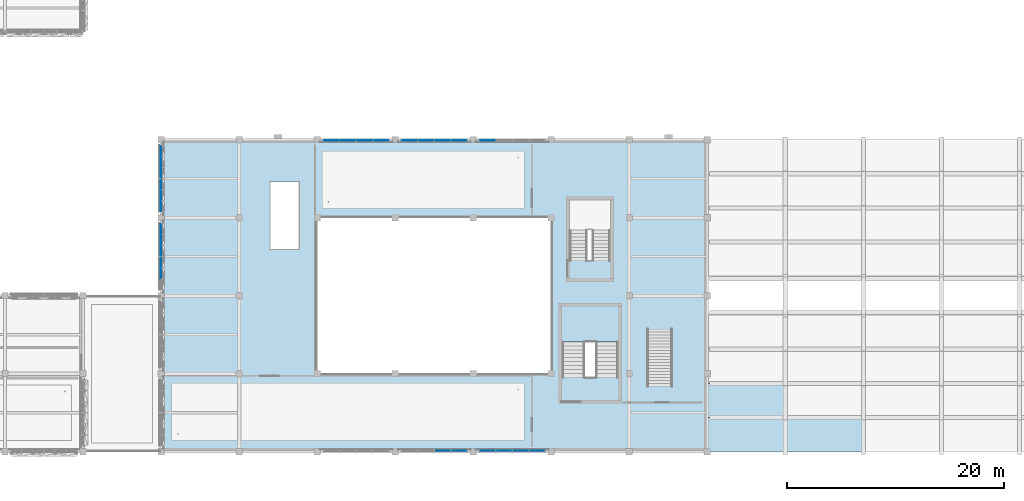
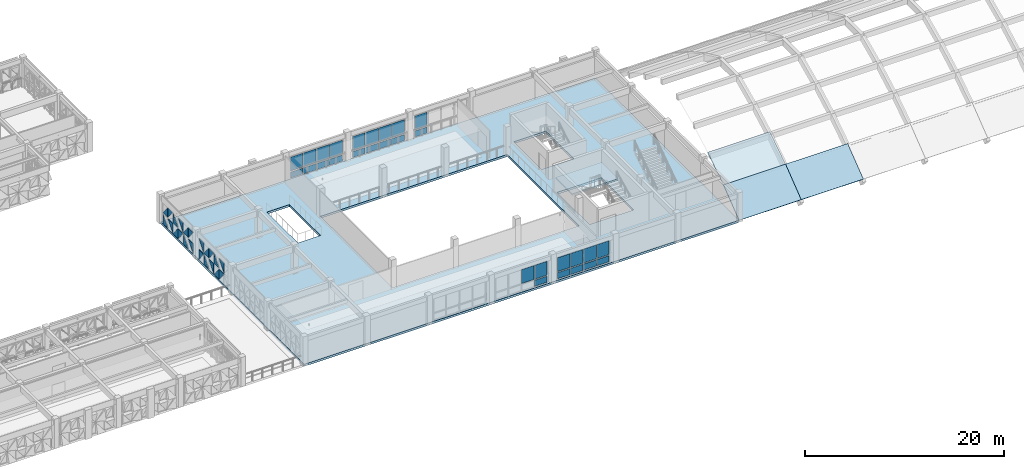
# One storey, part 38 of 85: 51 plates, 5 slabs, 8 elements without a shape of their own.
"""IFC4 building model written with IfcOpenShell, lengths in metres."""

from ifc_helpers import new_model, si_unit, direction, frame, origin, origin_2d, place, context, subcontext, project, spatial, polyline, rectangle, outline, extrude, material, layer, layer_set, type_object, element, aggregate, save


model = new_model("IFC4")

# Units and contexts
model_context = context("Model", 3, precision=1e-05, world=origin(), true_north=direction((0.0, 1.0)))
body_context = subcontext(model_context, "Body", "Model", "MODEL_VIEW")
ifc_project = project(units=[si_unit("LENGTHUNIT", "METRE"), si_unit("AREAUNIT", "SQUARE_METRE"), si_unit("VOLUMEUNIT", "CUBIC_METRE"), si_unit("PLANEANGLEUNIT", "RADIAN"), si_unit("MASSUNIT", "GRAM", prefix="KILO")], contexts=[model_context])

# Site, building, storey
site_placement = place(None, origin())
site = spatial("IfcSite", under=ifc_project, at=site_placement, CompositionType="ELEMENT")
building_placement = place(site_placement, origin())
building = spatial("IfcBuilding", under=site, at=building_placement, Name="Alvorim Cloister Faculty of Sciences", CompositionType="ELEMENT")
storey_placement = place(building_placement, frame((0.0, 0.0, 8.550048828125)))
storey = spatial("IfcBuildingStorey", under=building, at=storey_placement, Name="L02", CompositionType="ELEMENT", Elevation=8.550048828125)

# Curtain wall, plates
ifc_material_1 = material(Name="Aluminium and Low-E Glass Curtain Wall", Category="aluminium")
curtain_wall_type_1 = type_object("IfcCurtainWallType", Name="CW-GLZ-6120x2850", PredefinedType="USERDEFINED", material=ifc_material_1)
curtain_wall_1_placement = place(storey_placement, origin())
curtain_wall_1 = element("IfcCurtainWall", 1, at=curtain_wall_1_placement, inside=storey, type_object=curtain_wall_type_1, Name="L02 Entrance and Atrium Glazed Curtain Wall CW-0090", ObjectType="UNITISED CURTAIN WALL", PredefinedType="USERDEFINED")
ifc_material_2 = material(Name="Double Low-E Laminated Glass", Category="glass")
ifc_layer_1 = layer(ifc_material_2, 0.031982421875)
ifc_layer_set_1 = layer_set([ifc_layer_1], Name="Double Low-E Laminated Glass")
plate_type_1 = type_object("IfcPlateType", Name="PN-GLZ-32", PredefinedType="CURTAIN_PANEL", material=ifc_layer_set_1)
plate_1_placement = place(storey_placement, frame((94.921142578125, 0.090087890625, 0.14013671875), z_axis=(0.0, 0.0, 1.0), x_axis=(1.0, 0.0, 0.0)))
plate_1 = element("IfcPlate", 2, at=plate_1_placement, type_object=plate_type_1, Name="CW-10 panel 1.1", PredefinedType="CURTAIN_PANEL", context=body_context, shape_type="SweptSolid", body=[
    extrude(rectangle(XDim=1.4326171875, YDim=0.031982421875, at=origin_2d()), origin(), (0.0, 0.0, 1.0), 0.739990234375),
])
plate_2_placement = place(storey_placement, frame((94.921142578125, 0.090087890625, 1.02001953125), z_axis=(0.0, 0.0, 1.0), x_axis=(1.0, 0.0, 0.0)))
plate_2 = element("IfcPlate", 3, at=plate_2_placement, type_object=plate_type_1, Name="CW-10 panel 1.2", PredefinedType="CURTAIN_PANEL", context=body_context, shape_type="SweptSolid", body=[
    extrude(rectangle(XDim=1.4326171875, YDim=0.031982421875, at=origin_2d()), origin(), (0.0, 0.0, 1.0), 1.68994140625),
])
plate_3_placement = place(storey_placement, frame((96.43505859375, 0.090087890625, 0.14013671875), z_axis=(0.0, 0.0, 1.0), x_axis=(1.0, 0.0, 0.0)))
plate_3 = element("IfcPlate", 4, at=plate_3_placement, type_object=plate_type_1, Name="CW-10 panel 2.1", PredefinedType="CURTAIN_PANEL", context=body_context, shape_type="SweptSolid", body=[
    extrude(rectangle(XDim=1.465087890625, YDim=0.031982421875, at=origin_2d()), origin(), (0.0, 0.0, 1.0), 0.739990234375),
])
plate_4_placement = place(storey_placement, frame((96.43505859375, 0.090087890625, 1.02001953125), z_axis=(0.0, 0.0, 1.0), x_axis=(1.0, 0.0, 0.0)))
plate_4 = element("IfcPlate", 5, at=plate_4_placement, type_object=plate_type_1, Name="CW-10 panel 2.2", PredefinedType="CURTAIN_PANEL", context=body_context, shape_type="SweptSolid", body=[
    extrude(rectangle(XDim=1.465087890625, YDim=0.031982421875, at=origin_2d()), origin(), (0.0, 0.0, 1.0), 1.68994140625),
])
plate_5_placement = place(storey_placement, frame((97.965087890625, 0.090087890625, 0.14013671875), z_axis=(0.0, 0.0, 1.0), x_axis=(1.0, 0.0, 0.0)))
plate_5 = element("IfcPlate", 6, at=plate_5_placement, type_object=plate_type_1, Name="CW-10 panel 3.1", PredefinedType="CURTAIN_PANEL", context=body_context, shape_type="SweptSolid", body=[
    extrude(rectangle(XDim=1.465087890625, YDim=0.031982421875, at=origin_2d()), origin(), (0.0, 0.0, 1.0), 0.739990234375),
])
plate_6_placement = place(storey_placement, frame((97.965087890625, 0.090087890625, 1.02001953125), z_axis=(0.0, 0.0, 1.0), x_axis=(1.0, 0.0, 0.0)))
plate_6 = element("IfcPlate", 7, at=plate_6_placement, type_object=plate_type_1, Name="CW-10 panel 3.2", PredefinedType="CURTAIN_PANEL", context=body_context, shape_type="SweptSolid", body=[
    extrude(rectangle(XDim=1.465087890625, YDim=0.031982421875, at=origin_2d()), origin(), (0.0, 0.0, 1.0), 1.68994140625),
])
plate_7_placement = place(storey_placement, frame((99.478759765625, 0.090087890625, 0.14013671875), z_axis=(0.0, 0.0, 1.0), x_axis=(1.0, 0.0, 0.0)))
plate_7 = element("IfcPlate", 8, at=plate_7_placement, type_object=plate_type_1, Name="CW-10 panel 4.1", PredefinedType="CURTAIN_PANEL", context=body_context, shape_type="SweptSolid", body=[
    extrude(rectangle(XDim=1.4326171875, YDim=0.031982421875, at=origin_2d()), origin(), (0.0, 0.0, 1.0), 0.739990234375),
])
plate_8_placement = place(storey_placement, frame((99.478759765625, 0.090087890625, 1.02001953125), z_axis=(0.0, 0.0, 1.0), x_axis=(1.0, 0.0, 0.0)))
plate_8 = element("IfcPlate", 9, at=plate_8_placement, type_object=plate_type_1, Name="CW-10 panel 4.2", PredefinedType="CURTAIN_PANEL", context=body_context, shape_type="SweptSolid", body=[
    extrude(rectangle(XDim=1.4326171875, YDim=0.031982421875, at=origin_2d()), origin(), (0.0, 0.0, 1.0), 1.68994140625),
])
aggregate(curtain_wall_1, [plate_1, plate_2, plate_3, plate_4, plate_5, plate_6, plate_7, plate_8])

curtain_wall_2_placement = place(storey_placement, origin())
curtain_wall_2 = element("IfcCurtainWall", 10, at=curtain_wall_2_placement, inside=storey, type_object=curtain_wall_type_1, Name="L02 Entrance and Atrium Glazed Curtain Wall CW-0097", ObjectType="UNITISED CURTAIN WALL", PredefinedType="USERDEFINED")
plate_9_placement = place(storey_placement, frame((80.521240234375, 28.7099609375, 0.14013671875), z_axis=(0.0, 0.0, 1.0), x_axis=(1.0, 0.0, 0.0)))
plate_9 = element("IfcPlate", 11, at=plate_9_placement, type_object=plate_type_1, Name="CW-10 panel 1.1", PredefinedType="CURTAIN_PANEL", context=body_context, shape_type="SweptSolid", body=[
    extrude(rectangle(XDim=1.4326171875, YDim=0.031982421875, at=origin_2d()), origin(), (0.0, 0.0, 1.0), 0.739990234375),
])
plate_10_placement = place(storey_placement, frame((80.521240234375, 28.7099609375, 1.02001953125), z_axis=(0.0, 0.0, 1.0), x_axis=(1.0, 0.0, 0.0)))
plate_10 = element("IfcPlate", 12, at=plate_10_placement, type_object=plate_type_1, Name="CW-10 panel 1.2", PredefinedType="CURTAIN_PANEL", context=body_context, shape_type="SweptSolid", body=[
    extrude(rectangle(XDim=1.4326171875, YDim=0.031982421875, at=origin_2d()), origin(), (0.0, 0.0, 1.0), 1.68994140625),
])
plate_11_placement = place(storey_placement, frame((82.034912109375, 28.7099609375, 0.14013671875), z_axis=(0.0, 0.0, 1.0), x_axis=(1.0, 0.0, 0.0)))
plate_11 = element("IfcPlate", 13, at=plate_11_placement, type_object=plate_type_1, Name="CW-10 panel 2.1", PredefinedType="CURTAIN_PANEL", context=body_context, shape_type="SweptSolid", body=[
    extrude(rectangle(XDim=1.465087890625, YDim=0.031982421875, at=origin_2d()), origin(), (0.0, 0.0, 1.0), 0.739990234375),
])
plate_12_placement = place(storey_placement, frame((82.034912109375, 28.7099609375, 1.02001953125), z_axis=(0.0, 0.0, 1.0), x_axis=(1.0, 0.0, 0.0)))
plate_12 = element("IfcPlate", 14, at=plate_12_placement, type_object=plate_type_1, Name="CW-10 panel 2.2", PredefinedType="CURTAIN_PANEL", context=body_context, shape_type="SweptSolid", body=[
    extrude(rectangle(XDim=1.465087890625, YDim=0.031982421875, at=origin_2d()), origin(), (0.0, 0.0, 1.0), 1.68994140625),
])
plate_13_placement = place(storey_placement, frame((83.56494140625, 28.7099609375, 0.14013671875), z_axis=(0.0, 0.0, 1.0), x_axis=(1.0, 0.0, 0.0)))
plate_13 = element("IfcPlate", 15, at=plate_13_placement, type_object=plate_type_1, Name="CW-10 panel 3.1", PredefinedType="CURTAIN_PANEL", context=body_context, shape_type="SweptSolid", body=[
    extrude(rectangle(XDim=1.465087890625, YDim=0.031982421875, at=origin_2d()), origin(), (0.0, 0.0, 1.0), 0.739990234375),
])
plate_14_placement = place(storey_placement, frame((83.56494140625, 28.7099609375, 1.02001953125), z_axis=(0.0, 0.0, 1.0), x_axis=(1.0, 0.0, 0.0)))
plate_14 = element("IfcPlate", 16, at=plate_14_placement, type_object=plate_type_1, Name="CW-10 panel 3.2", PredefinedType="CURTAIN_PANEL", context=body_context, shape_type="SweptSolid", body=[
    extrude(rectangle(XDim=1.465087890625, YDim=0.031982421875, at=origin_2d()), origin(), (0.0, 0.0, 1.0), 1.68994140625),
])
plate_15_placement = place(storey_placement, frame((85.078857421875, 28.7099609375, 0.14013671875), z_axis=(0.0, 0.0, 1.0), x_axis=(1.0, 0.0, 0.0)))
plate_15 = element("IfcPlate", 17, at=plate_15_placement, type_object=plate_type_1, Name="CW-10 panel 4.1", PredefinedType="CURTAIN_PANEL", context=body_context, shape_type="SweptSolid", body=[
    extrude(rectangle(XDim=1.4326171875, YDim=0.031982421875, at=origin_2d()), origin(), (0.0, 0.0, 1.0), 0.739990234375),
])
plate_16_placement = place(storey_placement, frame((85.078857421875, 28.7099609375, 1.02001953125), z_axis=(0.0, 0.0, 1.0), x_axis=(1.0, 0.0, 0.0)))
plate_16 = element("IfcPlate", 18, at=plate_16_placement, type_object=plate_type_1, Name="CW-10 panel 4.2", PredefinedType="CURTAIN_PANEL", context=body_context, shape_type="SweptSolid", body=[
    extrude(rectangle(XDim=1.4326171875, YDim=0.031982421875, at=origin_2d()), origin(), (0.0, 0.0, 1.0), 1.68994140625),
])
aggregate(curtain_wall_2, [plate_9, plate_10, plate_11, plate_12, plate_13, plate_14, plate_15, plate_16])

curtain_wall_3_placement = place(storey_placement, origin())
curtain_wall_3 = element("IfcCurtainWall", 19, at=curtain_wall_3_placement, inside=storey, type_object=curtain_wall_type_1, Name="L02 Entrance and Atrium Glazed Curtain Wall CW-0099", ObjectType="UNITISED CURTAIN WALL", PredefinedType="USERDEFINED")
plate_17_placement = place(storey_placement, frame((94.921142578125, 28.7099609375, 0.14013671875), z_axis=(0.0, 0.0, 1.0), x_axis=(1.0, 0.0, 0.0)))
plate_17 = element("IfcPlate", 20, at=plate_17_placement, type_object=plate_type_1, Name="CW-10 panel 1.1", PredefinedType="CURTAIN_PANEL", context=body_context, shape_type="SweptSolid", body=[
    extrude(rectangle(XDim=1.4326171875, YDim=0.031982421875, at=origin_2d()), origin(), (0.0, 0.0, 1.0), 0.739990234375),
])
plate_18_placement = place(storey_placement, frame((94.921142578125, 28.7099609375, 1.02001953125), z_axis=(0.0, 0.0, 1.0), x_axis=(1.0, 0.0, 0.0)))
plate_18 = element("IfcPlate", 21, at=plate_18_placement, type_object=plate_type_1, Name="CW-10 panel 1.2", PredefinedType="CURTAIN_PANEL", context=body_context, shape_type="SweptSolid", body=[
    extrude(rectangle(XDim=1.4326171875, YDim=0.031982421875, at=origin_2d()), origin(), (0.0, 0.0, 1.0), 1.68994140625),
])
aggregate(curtain_wall_3, [plate_17, plate_18])

curtain_wall_4_placement = place(storey_placement, origin())
curtain_wall_4 = element("IfcCurtainWall", 22, at=curtain_wall_4_placement, inside=storey, type_object=curtain_wall_type_1, Name="L02 Entrance and Atrium Glazed Curtain Wall CW-0091", ObjectType="UNITISED CURTAIN WALL", PredefinedType="USERDEFINED")
ifc_layer_2 = layer(ifc_material_2, 0.0400390625)
ifc_layer_set_2 = layer_set([ifc_layer_2], Name="Double Low-E Laminated Glass")
plate_type_2 = type_object("IfcPlateType", Name="PN-GLZ-40", PredefinedType="CURTAIN_PANEL", material=ifc_layer_set_2)
plate_19_placement = place(storey_placement, frame((90.764892578125, 0.090087890625, 1.02001953125), z_axis=(0.0, 0.0, 1.0), x_axis=(1.0, 0.0, 0.0)))
plate_19 = element("IfcPlate", 23, at=plate_19_placement, type_object=plate_type_2, Name="CW-10 panel 3.2", PredefinedType="CURTAIN_PANEL", context=body_context, shape_type="SweptSolid", body=[
    extrude(rectangle(XDim=1.465087890625, YDim=0.0400390625, at=origin_2d()), origin(), (0.0, 0.0, 1.0), 1.68994140625),
])
plate_20_placement = place(storey_placement, frame((92.27880859375, 0.090087890625, 0.14013671875), z_axis=(0.0, 0.0, 1.0), x_axis=(1.0, 0.0, 0.0)))
plate_20 = element("IfcPlate", 24, at=plate_20_placement, type_object=plate_type_2, Name="CW-10 panel 4.1", PredefinedType="CURTAIN_PANEL", context=body_context, shape_type="SweptSolid", body=[
    extrude(rectangle(XDim=1.4326171875, YDim=0.0400390625, at=origin_2d()), origin(), (0.0, 0.0, 1.0), 0.739990234375),
])
plate_21_placement = place(storey_placement, frame((92.27880859375, 0.090087890625, 1.02001953125), z_axis=(0.0, 0.0, 1.0), x_axis=(1.0, 0.0, 0.0)))
plate_21 = element("IfcPlate", 25, at=plate_21_placement, type_object=plate_type_2, Name="CW-10 panel 4.2", PredefinedType="CURTAIN_PANEL", context=body_context, shape_type="SweptSolid", body=[
    extrude(rectangle(XDim=1.4326171875, YDim=0.0400390625, at=origin_2d()), origin(), (0.0, 0.0, 1.0), 1.68994140625),
])
aggregate(curtain_wall_4, [plate_19, plate_20, plate_21])

curtain_wall_type_2 = type_object("IfcCurtainWallType", Name="CW-TRI-6120x2850", PredefinedType="USERDEFINED", material=ifc_material_1)
curtain_wall_5_placement = place(storey_placement, origin())
curtain_wall_5 = element("IfcCurtainWall", 26, at=curtain_wall_5_placement, inside=storey, type_object=curtain_wall_type_2, Name="L02 Diagonal Cassette Curtain Wall CW-0095", ObjectType="UNITISED CURTAIN WALL", PredefinedType="USERDEFINED")
plate_22_placement = place(storey_placement, frame((64.77490234375, 15.992431640625, 0.139892578125), z_axis=(0.0, 0.0, 1.0), x_axis=(0.0, 1.0, 0.0)))
plate_22 = element("IfcPlate", 27, at=plate_22_placement, type_object=plate_type_2, Name="Diagonal Glazed Triangle TRI-TR", PredefinedType="CURTAIN_PANEL", context=body_context, shape_type="SweptSolid", body=[
    extrude(outline(polyline([(0.955078125, 0.001953125), (0.955078125, 1.215087890625), (0.001953125, 1.215087890625), (0.955078125, 0.001953125)])), frame((0.0, 0.02490234375, 0.0), z_axis=(0.0, -1.0, 0.0), x_axis=(1.0, 0.0, 0.0)), (0.0, 0.0, 1.0), 0.050048828125),
])
plate_23_placement = place(storey_placement, frame((64.77490234375, 15.992431640625, 1.494873046875), z_axis=(0.0, 0.0, 1.0), x_axis=(0.0, 1.0, 0.0)))
plate_23 = element("IfcPlate", 28, at=plate_23_placement, type_object=plate_type_2, Name="Diagonal Glazed Triangle TRI-TL", PredefinedType="CURTAIN_PANEL", context=body_context, shape_type="SweptSolid", body=[
    extrude(outline(polyline([(0.953125, 1.215087890625), (0.0, 1.215087890625), (0.0, 0.001953125), (0.953125, 1.215087890625)])), frame((0.0, 0.02490234375, 0.0), z_axis=(0.0, -1.0, 0.0), x_axis=(1.0, 0.0, 0.0)), (0.0, 0.0, 1.0), 0.050048828125),
])
plate_24_placement = place(storey_placement, frame((64.77490234375, 17.012451171875, 0.139892578125), z_axis=(0.0, 0.0, 1.0), x_axis=(0.0, 1.0, 0.0)))
plate_24 = element("IfcPlate", 29, at=plate_24_placement, type_object=plate_type_2, Name="Diagonal Glazed Triangle TRI-BL", PredefinedType="CURTAIN_PANEL", context=body_context, shape_type="SweptSolid", body=[
    extrude(outline(polyline([(0.0, 0.0), (0.953125, 0.0), (0.0, 1.213134765625), (0.0, 0.0)])), frame((0.0, 0.02490234375, 0.0), z_axis=(0.0, -1.0, 0.0), x_axis=(1.0, 0.0, 0.0)), (0.0, 0.0, 1.0), 0.050048828125),
])
plate_25_placement = place(storey_placement, frame((64.77490234375, 17.012451171875, 1.494873046875), z_axis=(0.0, 0.0, 1.0), x_axis=(0.0, 1.0, 0.0)))
plate_25 = element("IfcPlate", 30, at=plate_25_placement, type_object=plate_type_2, Name="Diagonal Glazed Triangle TRI-BR", PredefinedType="CURTAIN_PANEL", context=body_context, shape_type="SweptSolid", body=[
    extrude(outline(polyline([(0.001953125, 0.0), (0.955078125, 0.0), (0.955078125, 1.213134765625), (0.001953125, 0.0)])), frame((0.0, 0.02490234375, 0.0), z_axis=(0.0, -1.0, 0.0), x_axis=(1.0, 0.0, 0.0)), (0.0, 0.0, 1.0), 0.050048828125),
])
plate_26_placement = place(storey_placement, frame((64.77490234375, 18.032470703125, 0.139892578125), z_axis=(0.0, 0.0, 1.0), x_axis=(0.0, 1.0, 0.0)))
plate_26 = element("IfcPlate", 31, at=plate_26_placement, type_object=plate_type_2, Name="Diagonal Glazed Triangle TRI-TL", PredefinedType="CURTAIN_PANEL", context=body_context, shape_type="SweptSolid", body=[
    extrude(outline(polyline([(0.953125, 1.215087890625), (0.0, 1.215087890625), (0.0, 0.001953125), (0.953125, 1.215087890625)])), frame((0.0, 0.02490234375, 0.0), z_axis=(0.0, -1.0, 0.0), x_axis=(1.0, 0.0, 0.0)), (0.0, 0.0, 1.0), 0.050048828125),
])
plate_27_placement = place(storey_placement, frame((64.77490234375, 18.032470703125, 1.494873046875), z_axis=(0.0, 0.0, 1.0), x_axis=(0.0, 1.0, 0.0)))
plate_27 = element("IfcPlate", 32, at=plate_27_placement, type_object=plate_type_2, Name="Diagonal Glazed Triangle TRI-TR", PredefinedType="CURTAIN_PANEL", context=body_context, shape_type="SweptSolid", body=[
    extrude(outline(polyline([(0.955078125, 0.001953125), (0.955078125, 1.215087890625), (0.001953125, 1.215087890625), (0.955078125, 0.001953125)])), frame((0.0, 0.02490234375, 0.0), z_axis=(0.0, -1.0, 0.0), x_axis=(1.0, 0.0, 0.0)), (0.0, 0.0, 1.0), 0.050048828125),
])
plate_28_placement = place(storey_placement, frame((64.77490234375, 19.052490234375, 0.139892578125), z_axis=(0.0, 0.0, 1.0), x_axis=(0.0, 1.0, 0.0)))
plate_28 = element("IfcPlate", 33, at=plate_28_placement, type_object=plate_type_2, Name="Diagonal Glazed Triangle TRI-BR", PredefinedType="CURTAIN_PANEL", context=body_context, shape_type="SweptSolid", body=[
    extrude(outline(polyline([(0.001953125, 0.0), (0.955078125, 0.0), (0.955078125, 1.213134765625), (0.001953125, 0.0)])), frame((0.0, 0.02490234375, 0.0), z_axis=(0.0, -1.0, 0.0), x_axis=(1.0, 0.0, 0.0)), (0.0, 0.0, 1.0), 0.050048828125),
])
plate_29_placement = place(storey_placement, frame((64.77490234375, 19.052490234375, 1.494873046875), z_axis=(0.0, 0.0, 1.0), x_axis=(0.0, 1.0, 0.0)))
plate_29 = element("IfcPlate", 34, at=plate_29_placement, type_object=plate_type_2, Name="Diagonal Glazed Triangle TRI-BL", PredefinedType="CURTAIN_PANEL", context=body_context, shape_type="SweptSolid", body=[
    extrude(outline(polyline([(0.0, 0.0), (0.953125, 0.0), (0.0, 1.213134765625), (0.0, 0.0)])), frame((0.0, 0.02490234375, 0.0), z_axis=(0.0, -1.0, 0.0), x_axis=(1.0, 0.0, 0.0)), (0.0, 0.0, 1.0), 0.050048828125),
])
plate_30_placement = place(storey_placement, frame((64.77490234375, 20.072509765625, 0.139892578125), z_axis=(0.0, 0.0, 1.0), x_axis=(0.0, 1.0, 0.0)))
plate_30 = element("IfcPlate", 35, at=plate_30_placement, type_object=plate_type_2, Name="Diagonal Glazed Triangle TRI-TR", PredefinedType="CURTAIN_PANEL", context=body_context, shape_type="SweptSolid", body=[
    extrude(outline(polyline([(0.922607421875, 0.001953125), (0.922607421875, 1.215087890625), (0.001953125, 1.215087890625), (0.922607421875, 0.001953125)])), frame((0.0, 0.02490234375, 0.0), z_axis=(0.0, -1.0, 0.0), x_axis=(1.0, 0.0, 0.0)), (0.0, 0.0, 1.0), 0.050048828125),
])
plate_31_placement = place(storey_placement, frame((64.77490234375, 20.072509765625, 1.494873046875), z_axis=(0.0, 0.0, 1.0), x_axis=(0.0, 1.0, 0.0)))
plate_31 = element("IfcPlate", 36, at=plate_31_placement, type_object=plate_type_2, Name="Diagonal Glazed Triangle TRI-TL", PredefinedType="CURTAIN_PANEL", context=body_context, shape_type="SweptSolid", body=[
    extrude(outline(polyline([(0.920654296875, 1.215087890625), (0.0, 1.215087890625), (0.0, 0.001953125), (0.920654296875, 1.215087890625)])), frame((0.0, 0.02490234375, 0.0), z_axis=(0.0, -1.0, 0.0), x_axis=(1.0, 0.0, 0.0)), (0.0, 0.0, 1.0), 0.050048828125),
])
aggregate(curtain_wall_5, [plate_22, plate_23, plate_24, plate_25, plate_26, plate_27, plate_28, plate_29, plate_30, plate_31])

curtain_wall_6_placement = place(storey_placement, origin())
curtain_wall_6 = element("IfcCurtainWall", 37, at=curtain_wall_6_placement, inside=storey, type_object=curtain_wall_type_2, Name="L02 Diagonal Cassette Curtain Wall CW-0096", ObjectType="UNITISED CURTAIN WALL", PredefinedType="USERDEFINED")
plate_32_placement = place(storey_placement, frame((64.77490234375, 22.205078125, 0.139892578125), z_axis=(0.0, 0.0, 1.0), x_axis=(0.0, 1.0, 0.0)))
plate_32 = element("IfcPlate", 38, at=plate_32_placement, type_object=plate_type_2, Name="Diagonal Glazed Triangle TRI-TL", PredefinedType="CURTAIN_PANEL", context=body_context, shape_type="SweptSolid", body=[
    extrude(outline(polyline([(0.920654296875, 1.215087890625), (0.0, 1.215087890625), (0.0, 0.001953125), (0.920654296875, 1.215087890625)])), frame((0.0, 0.02490234375, 0.0), z_axis=(0.0, -1.0, 0.0), x_axis=(1.0, 0.0, 0.0)), (0.0, 0.0, 1.0), 0.050048828125),
])
plate_33_placement = place(storey_placement, frame((64.77490234375, 22.205078125, 1.494873046875), z_axis=(0.0, 0.0, 1.0), x_axis=(0.0, 1.0, 0.0)))
plate_33 = element("IfcPlate", 39, at=plate_33_placement, type_object=plate_type_2, Name="Diagonal Glazed Triangle TRI-TR", PredefinedType="CURTAIN_PANEL", context=body_context, shape_type="SweptSolid", body=[
    extrude(outline(polyline([(0.922607421875, 0.001953125), (0.922607421875, 1.215087890625), (0.001953125, 1.215087890625), (0.922607421875, 0.001953125)])), frame((0.0, 0.02490234375, 0.0), z_axis=(0.0, -1.0, 0.0), x_axis=(1.0, 0.0, 0.0)), (0.0, 0.0, 1.0), 0.050048828125),
])
plate_34_placement = place(storey_placement, frame((64.77490234375, 23.1923828125, 0.139892578125), z_axis=(0.0, 0.0, 1.0), x_axis=(0.0, 1.0, 0.0)))
plate_34 = element("IfcPlate", 40, at=plate_34_placement, type_object=plate_type_2, Name="Diagonal Glazed Triangle TRI-BR", PredefinedType="CURTAIN_PANEL", context=body_context, shape_type="SweptSolid", body=[
    extrude(outline(polyline([(0.001953125, 0.0), (0.955078125, 0.0), (0.955078125, 1.213134765625), (0.001953125, 0.0)])), frame((0.0, 0.02490234375, 0.0), z_axis=(0.0, -1.0, 0.0), x_axis=(1.0, 0.0, 0.0)), (0.0, 0.0, 1.0), 0.050048828125),
])
plate_35_placement = place(storey_placement, frame((64.77490234375, 23.1923828125, 1.494873046875), z_axis=(0.0, 0.0, 1.0), x_axis=(0.0, 1.0, 0.0)))
plate_35 = element("IfcPlate", 41, at=plate_35_placement, type_object=plate_type_2, Name="Diagonal Glazed Triangle TRI-BL", PredefinedType="CURTAIN_PANEL", context=body_context, shape_type="SweptSolid", body=[
    extrude(outline(polyline([(0.0, 0.0), (0.953125, 0.0), (0.0, 1.213134765625), (0.0, 0.0)])), frame((0.0, 0.02490234375, 0.0), z_axis=(0.0, -1.0, 0.0), x_axis=(1.0, 0.0, 0.0)), (0.0, 0.0, 1.0), 0.050048828125),
])
plate_36_placement = place(storey_placement, frame((64.77490234375, 24.21240234375, 0.139892578125), z_axis=(0.0, 0.0, 1.0), x_axis=(0.0, 1.0, 0.0)))
plate_36 = element("IfcPlate", 42, at=plate_36_placement, type_object=plate_type_2, Name="Diagonal Glazed Triangle TRI-TR", PredefinedType="CURTAIN_PANEL", context=body_context, shape_type="SweptSolid", body=[
    extrude(outline(polyline([(0.955078125, 0.001953125), (0.955078125, 1.215087890625), (0.001953125, 1.215087890625), (0.955078125, 0.001953125)])), frame((0.0, 0.02490234375, 0.0), z_axis=(0.0, -1.0, 0.0), x_axis=(1.0, 0.0, 0.0)), (0.0, 0.0, 1.0), 0.050048828125),
])
plate_37_placement = place(storey_placement, frame((64.77490234375, 24.21240234375, 1.494873046875), z_axis=(0.0, 0.0, 1.0), x_axis=(0.0, 1.0, 0.0)))
plate_37 = element("IfcPlate", 43, at=plate_37_placement, type_object=plate_type_2, Name="Diagonal Glazed Triangle TRI-TL", PredefinedType="CURTAIN_PANEL", context=body_context, shape_type="SweptSolid", body=[
    extrude(outline(polyline([(0.953125, 1.215087890625), (0.0, 1.215087890625), (0.0, 0.001953125), (0.953125, 1.215087890625)])), frame((0.0, 0.02490234375, 0.0), z_axis=(0.0, -1.0, 0.0), x_axis=(1.0, 0.0, 0.0)), (0.0, 0.0, 1.0), 0.050048828125),
])
plate_38_placement = place(storey_placement, frame((64.77490234375, 25.232421875, 0.139892578125), z_axis=(0.0, 0.0, 1.0), x_axis=(0.0, 1.0, 0.0)))
plate_38 = element("IfcPlate", 44, at=plate_38_placement, type_object=plate_type_2, Name="Diagonal Glazed Triangle TRI-BL", PredefinedType="CURTAIN_PANEL", context=body_context, shape_type="SweptSolid", body=[
    extrude(outline(polyline([(0.0, 0.0), (0.953125, 0.0), (0.0, 1.213134765625), (0.0, 0.0)])), frame((0.0, 0.02490234375, 0.0), z_axis=(0.0, -1.0, 0.0), x_axis=(1.0, 0.0, 0.0)), (0.0, 0.0, 1.0), 0.050048828125),
])
plate_39_placement = place(storey_placement, frame((64.77490234375, 25.232421875, 1.494873046875), z_axis=(0.0, 0.0, 1.0), x_axis=(0.0, 1.0, 0.0)))
plate_39 = element("IfcPlate", 45, at=plate_39_placement, type_object=plate_type_2, Name="Diagonal Glazed Triangle TRI-BR", PredefinedType="CURTAIN_PANEL", context=body_context, shape_type="SweptSolid", body=[
    extrude(outline(polyline([(0.001953125, 0.0), (0.955078125, 0.0), (0.955078125, 1.213134765625), (0.001953125, 0.0)])), frame((0.0, 0.02490234375, 0.0), z_axis=(0.0, -1.0, 0.0), x_axis=(1.0, 0.0, 0.0)), (0.0, 0.0, 1.0), 0.050048828125),
])
plate_40_placement = place(storey_placement, frame((64.77490234375, 26.25244140625, 0.139892578125), z_axis=(0.0, 0.0, 1.0), x_axis=(0.0, 1.0, 0.0)))
plate_40 = element("IfcPlate", 46, at=plate_40_placement, type_object=plate_type_2, Name="Diagonal Glazed Triangle TRI-TL", PredefinedType="CURTAIN_PANEL", context=body_context, shape_type="SweptSolid", body=[
    extrude(outline(polyline([(0.953125, 1.215087890625), (0.0, 1.215087890625), (0.0, 0.001953125), (0.953125, 1.215087890625)])), frame((0.0, 0.02490234375, 0.0), z_axis=(0.0, -1.0, 0.0), x_axis=(1.0, 0.0, 0.0)), (0.0, 0.0, 1.0), 0.050048828125),
])
plate_41_placement = place(storey_placement, frame((64.77490234375, 26.25244140625, 1.494873046875), z_axis=(0.0, 0.0, 1.0), x_axis=(0.0, 1.0, 0.0)))
plate_41 = element("IfcPlate", 47, at=plate_41_placement, type_object=plate_type_2, Name="Diagonal Glazed Triangle TRI-TR", PredefinedType="CURTAIN_PANEL", context=body_context, shape_type="SweptSolid", body=[
    extrude(outline(polyline([(0.955078125, 0.001953125), (0.955078125, 1.215087890625), (0.001953125, 1.215087890625), (0.955078125, 0.001953125)])), frame((0.0, 0.02490234375, 0.0), z_axis=(0.0, -1.0, 0.0), x_axis=(1.0, 0.0, 0.0)), (0.0, 0.0, 1.0), 0.050048828125),
])
plate_42_placement = place(storey_placement, frame((64.77490234375, 27.2724609375, 0.139892578125), z_axis=(0.0, 0.0, 1.0), x_axis=(0.0, 1.0, 0.0)))
plate_42 = element("IfcPlate", 48, at=plate_42_placement, type_object=plate_type_2, Name="Diagonal Glazed Triangle TRI-BR", PredefinedType="CURTAIN_PANEL", context=body_context, shape_type="SweptSolid", body=[
    extrude(outline(polyline([(0.001953125, 0.0), (0.922607421875, 0.0), (0.922607421875, 1.213134765625), (0.001953125, 0.0)])), frame((0.0, 0.02490234375, 0.0), z_axis=(0.0, -1.0, 0.0), x_axis=(1.0, 0.0, 0.0)), (0.0, 0.0, 1.0), 0.050048828125),
])
plate_43_placement = place(storey_placement, frame((64.77490234375, 27.2724609375, 1.494873046875), z_axis=(0.0, 0.0, 1.0), x_axis=(0.0, 1.0, 0.0)))
plate_43 = element("IfcPlate", 49, at=plate_43_placement, type_object=plate_type_2, Name="Diagonal Glazed Triangle TRI-BL", PredefinedType="CURTAIN_PANEL", context=body_context, shape_type="SweptSolid", body=[
    extrude(outline(polyline([(0.0, 0.0), (0.920654296875, 0.0), (0.0, 1.213134765625), (0.0, 0.0)])), frame((0.0, 0.02490234375, 0.0), z_axis=(0.0, -1.0, 0.0), x_axis=(1.0, 0.0, 0.0)), (0.0, 0.0, 1.0), 0.050048828125),
])
aggregate(curtain_wall_6, [plate_32, plate_33, plate_34, plate_35, plate_36, plate_37, plate_38, plate_39, plate_40, plate_41, plate_42, plate_43])

curtain_wall_7_placement = place(storey_placement, origin())
curtain_wall_7 = element("IfcCurtainWall", 50, at=curtain_wall_7_placement, inside=storey, type_object=curtain_wall_type_1, Name="L02 Entrance and Atrium Glazed Curtain Wall CW-0098", ObjectType="UNITISED CURTAIN WALL", PredefinedType="USERDEFINED")
plate_44_placement = place(storey_placement, frame((87.72119140625, 28.7099609375, 0.14013671875), z_axis=(0.0, 0.0, 1.0), x_axis=(1.0, 0.0, 0.0)))
plate_44 = element("IfcPlate", 51, at=plate_44_placement, type_object=plate_type_2, Name="CW-10 panel 1.1", PredefinedType="CURTAIN_PANEL", context=body_context, shape_type="SweptSolid", body=[
    extrude(rectangle(XDim=1.4326171875, YDim=0.0400390625, at=origin_2d()), origin(), (0.0, 0.0, 1.0), 0.739990234375),
])
plate_45_placement = place(storey_placement, frame((87.72119140625, 28.7099609375, 1.02001953125), z_axis=(0.0, 0.0, 1.0), x_axis=(1.0, 0.0, 0.0)))
plate_45 = element("IfcPlate", 52, at=plate_45_placement, type_object=plate_type_2, Name="CW-10 panel 1.2", PredefinedType="CURTAIN_PANEL", context=body_context, shape_type="SweptSolid", body=[
    extrude(rectangle(XDim=1.4326171875, YDim=0.0400390625, at=origin_2d()), origin(), (0.0, 0.0, 1.0), 1.68994140625),
])
plate_46_placement = place(storey_placement, frame((89.235107421875, 28.7099609375, 0.14013671875), z_axis=(0.0, 0.0, 1.0), x_axis=(1.0, 0.0, 0.0)))
plate_46 = element("IfcPlate", 53, at=plate_46_placement, type_object=plate_type_2, Name="CW-10 panel 2.1", PredefinedType="CURTAIN_PANEL", context=body_context, shape_type="SweptSolid", body=[
    extrude(rectangle(XDim=1.465087890625, YDim=0.0400390625, at=origin_2d()), origin(), (0.0, 0.0, 1.0), 0.739990234375),
])
plate_47_placement = place(storey_placement, frame((89.235107421875, 28.7099609375, 1.02001953125), z_axis=(0.0, 0.0, 1.0), x_axis=(1.0, 0.0, 0.0)))
plate_47 = element("IfcPlate", 54, at=plate_47_placement, type_object=plate_type_2, Name="CW-10 panel 2.2", PredefinedType="CURTAIN_PANEL", context=body_context, shape_type="SweptSolid", body=[
    extrude(rectangle(XDim=1.465087890625, YDim=0.0400390625, at=origin_2d()), origin(), (0.0, 0.0, 1.0), 1.68994140625),
])
plate_48_placement = place(storey_placement, frame((90.764892578125, 28.7099609375, 0.14013671875), z_axis=(0.0, 0.0, 1.0), x_axis=(1.0, 0.0, 0.0)))
plate_48 = element("IfcPlate", 55, at=plate_48_placement, type_object=plate_type_2, Name="CW-10 panel 3.1", PredefinedType="CURTAIN_PANEL", context=body_context, shape_type="SweptSolid", body=[
    extrude(rectangle(XDim=1.465087890625, YDim=0.0400390625, at=origin_2d()), origin(), (0.0, 0.0, 1.0), 0.739990234375),
])
plate_49_placement = place(storey_placement, frame((90.764892578125, 28.7099609375, 1.02001953125), z_axis=(0.0, 0.0, 1.0), x_axis=(1.0, 0.0, 0.0)))
plate_49 = element("IfcPlate", 56, at=plate_49_placement, type_object=plate_type_2, Name="CW-10 panel 3.2", PredefinedType="CURTAIN_PANEL", context=body_context, shape_type="SweptSolid", body=[
    extrude(rectangle(XDim=1.465087890625, YDim=0.0400390625, at=origin_2d()), origin(), (0.0, 0.0, 1.0), 1.68994140625),
])
plate_50_placement = place(storey_placement, frame((92.27880859375, 28.7099609375, 0.14013671875), z_axis=(0.0, 0.0, 1.0), x_axis=(1.0, 0.0, 0.0)))
plate_50 = element("IfcPlate", 57, at=plate_50_placement, type_object=plate_type_2, Name="CW-10 panel 4.1", PredefinedType="CURTAIN_PANEL", context=body_context, shape_type="SweptSolid", body=[
    extrude(rectangle(XDim=1.4326171875, YDim=0.0400390625, at=origin_2d()), origin(), (0.0, 0.0, 1.0), 0.739990234375),
])
plate_51_placement = place(storey_placement, frame((92.27880859375, 28.7099609375, 1.02001953125), z_axis=(0.0, 0.0, 1.0), x_axis=(1.0, 0.0, 0.0)))
plate_51 = element("IfcPlate", 58, at=plate_51_placement, type_object=plate_type_2, Name="CW-10 panel 4.2", PredefinedType="CURTAIN_PANEL", context=body_context, shape_type="SweptSolid", body=[
    extrude(rectangle(XDim=1.4326171875, YDim=0.0400390625, at=origin_2d()), origin(), (0.0, 0.0, 1.0), 1.68994140625),
])
aggregate(curtain_wall_7, [plate_44, plate_45, plate_46, plate_47, plate_48, plate_49, plate_50, plate_51])

# Stair, slab
ifc_material_3 = material(Name="Concrete C40", Category="concrete")
stair_type = type_object("IfcStairType", Name="STR-ST-12-2050x3600", PredefinedType="HALF_TURN_STAIR", material=ifc_material_3)
stair_placement = place(storey_placement, origin())
stair = element("IfcStair", 59, at=stair_placement, inside=storey, type_object=stair_type, Name="L02 Enclosed Smoke-Proof Stair ST-12", PredefinedType="HALF_TURN_STAIR")
ifc_layer_3 = layer(ifc_material_3, 0.199951171875)
ifc_layer_set_3 = layer_set([ifc_layer_3], Name="Concrete C40")
slab_type_1 = type_object("IfcSlabType", Name="SL-LAND-200", PredefinedType="LANDING", material=ifc_layer_set_3)
slab_1_placement = place(storey_placement, frame((0.0, 0.0, 1.599853515625)))
slab_1 = element("IfcSlab", 60, at=slab_1_placement, type_object=slab_type_1, Name="ST-12 landing 1", PredefinedType="LANDING", context=body_context, shape_type="SweptSolid", body=[
    extrude(outline(polyline([(107.080078125, 10.135009765625), (107.080078125, 13.469970703125), (101.719970703125, 13.469970703125), (101.719970703125, 10.135009765625), (107.080078125, 10.135009765625)])), origin(), (0.0, 0.0, 1.0), 0.2001953125),
])
aggregate(stair, [slab_1])

# Slabs
ifc_layer_4 = layer(ifc_material_3, 0.260009765625)
ifc_layer_set_4 = layer_set([ifc_layer_4], Name="Concrete C40")
slab_type_2 = type_object("IfcSlabType", Name="SL-RC-260", PredefinedType="FLOOR", material=ifc_layer_set_4)
slab_2_placement = place(storey_placement, frame((0.0, 0.0, -0.260009765625)))
element("IfcSlab", 61, at=slab_2_placement, inside=storey, type_object=slab_type_2, Name="L02 V3 Structural Slab 21", PredefinedType="FLOOR", context=body_context, shape_type="SweptSolid", body=[
    extrude(outline(polyline([(64.804931640625, 0.0048828125), (64.804931640625, 28.794921875), (115.195068359375, 28.794921875), (115.195068359375, 0.0048828125), (64.804931640625, 0.0048828125)]), holes=[polyline([(106.9599609375, 13.35009765625), (101.840087890625, 13.35009765625), (101.840087890625, 6.8798828125), (106.9599609375, 6.8798828125), (106.9599609375, 13.35009765625)]), polyline([(100.800048828125, 21.60009765625), (79.199951171875, 21.60009765625), (79.199951171875, 7.199951171875), (100.800048828125, 7.199951171875), (100.800048828125, 21.60009765625)]), polyline([(106.219970703125, 23.199951171875), (102.5, 23.199951171875), (102.5, 17.6298828125), (106.219970703125, 17.6298828125), (106.219970703125, 23.199951171875)]), polyline([(77.5048828125, 24.929931640625), (74.89501953125, 24.929931640625), (74.89501953125, 18.699951171875), (77.5048828125, 18.699951171875), (77.5048828125, 24.929931640625)])]), origin(), (0.0, 0.0, 1.0), 0.260009765625),
])
ifc_layer_5 = layer(ifc_material_3, 0.110107421875)
ifc_layer_set_5 = layer_set([ifc_layer_5], Name="Concrete C40")
slab_type_3 = type_object("IfcSlabType", Name="SL-SHELL-110", PredefinedType="ROOF", material=ifc_layer_set_5)
slab_3_placement = place(storey_placement, frame((115.199951171875, 0.0, 0.0), z_axis=(0.0, -0.613944849069, 0.789348923038), x_axis=(1.0, 0.0, 0.0)))
element("IfcSlab", 62, at=slab_3_placement, inside=storey, type_object=slab_type_3, Name="SH-V1 Pointed Concrete Shell Chord 1.S1", PredefinedType="ROOF", context=body_context, shape_type="SweptSolid", body=[
    extrude(outline(polyline([(0.0, 0.0), (7.199951171875, 0.0), (7.199951171875, 3.990506925157934), (0.0, 3.990506925157934), (0.0, 0.0)])), origin(), (0.0, 0.0, -1.0), 0.110107421875),
])
slab_4_placement = place(storey_placement, frame((115.199951171875, 3.14990234375, 2.449951171875), z_axis=(0.0, -0.548176378921, 0.836362754786), x_axis=(1.0, 0.0, 0.0)))
element("IfcSlab", 63, at=slab_4_placement, inside=storey, type_object=slab_type_3, Name="SH-V1 Pointed Concrete Shell Chord 1.S2", PredefinedType="ROOF", context=body_context, shape_type="SweptSolid", body=[
    extrude(outline(polyline([(0.0, 0.0), (7.199951171875, 0.0), (7.199951171875, 3.766483462289397), (0.0, 3.766483462289397), (0.0, 0.0)])), origin(), (0.0, 0.0, -1.0), 0.110107421875),
])
slab_5_placement = place(storey_placement, frame((122.39990234375, 0.0, 0.0), z_axis=(0.0, -0.613944849069, 0.789348923038), x_axis=(1.0, 0.0, 0.0)))
element("IfcSlab", 64, at=slab_5_placement, inside=storey, type_object=slab_type_3, Name="SH-V1 Pointed Concrete Shell Chord 2.S1", PredefinedType="ROOF", context=body_context, shape_type="SweptSolid", body=[
    extrude(outline(polyline([(0.0, 0.0), (7.2001953125, 0.0), (7.2001953125, 3.990506925157934), (0.0, 3.990506925157934), (0.0, 0.0)])), origin(), (0.0, 0.0, -1.0), 0.110107421875),
])

save(model, "model.ifc")
